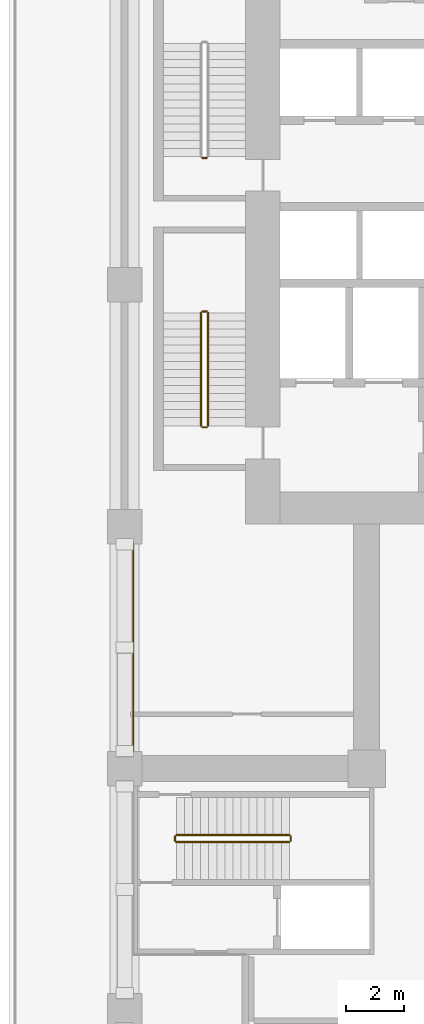
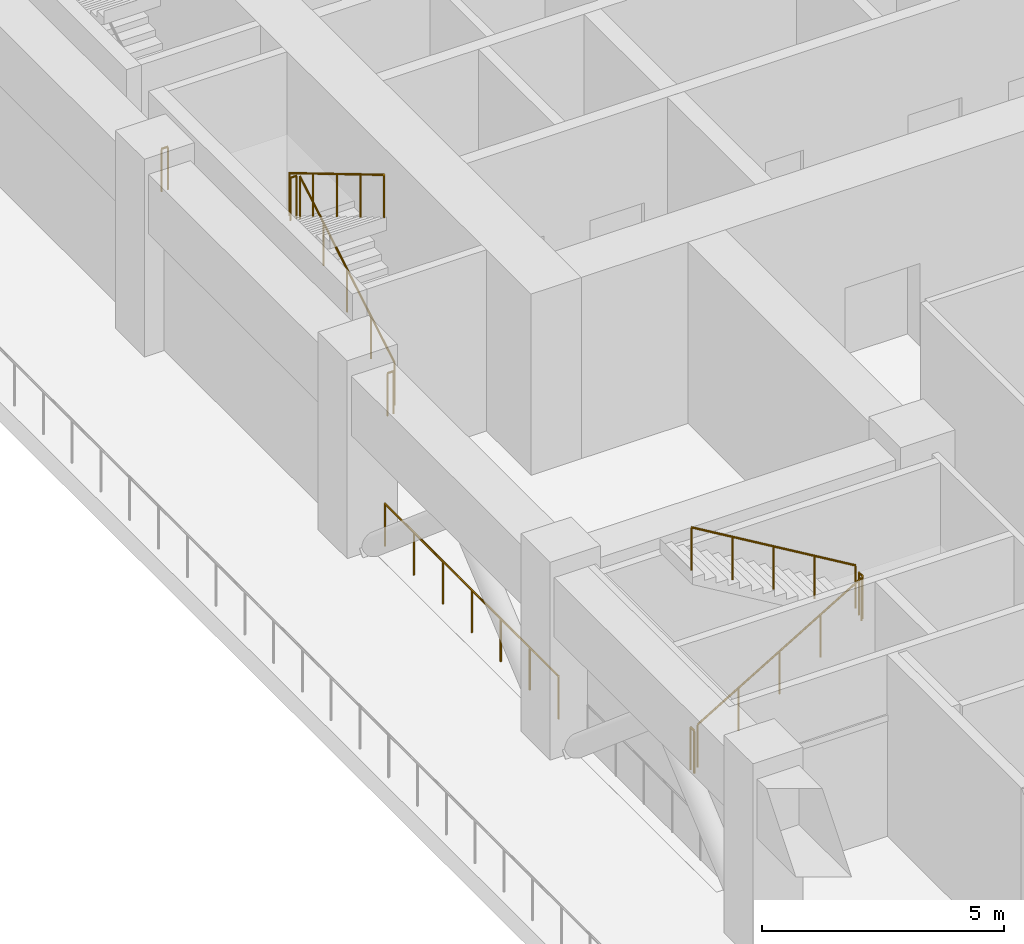
# One storey, part 14 of 19: 10 railings.
"""IFC4 building model written with IfcOpenShell, lengths in metres."""

import ifcopenshell
import ifcopenshell.guid

model = None  # the IFC model being written
_history = None  # IfcOwnerHistory: only IFC2X3 demands one
_inside = {}  # id of a spatial element -> (the spatial element, [elements in it])
_under = {}  # id of a project, library or spatial element -> (it, [spatial elements below it])
_declared = {}  # id of a project -> (the project, [libraries it declares])
_typed = {}  # id of a type object -> (the type object, [elements of that type])
_made_of = {}  # id of a material, layer set ... -> (it, [elements and type objects made of it])


def new_model(schema):
    """Start an empty IFC model of exactly this schema.

    Asked for "IFC4X3", IfcOpenShell would pick the latest addendum, in which some entities
    have other attributes; the version numbers below select the first issue.
    IFC2X3 requires an IfcOwnerHistory on every rooted entity: one is made here for all.
    """
    global model, _history
    if schema == "IFC4X3":
        model = ifcopenshell.file(schema_version=(4, 3, 0, 0))
    else:
        model = ifcopenshell.file(schema=schema)
    _inside.clear()
    _under.clear()
    _declared.clear()
    _typed.clear()
    _made_of.clear()
    _history = None
    if model.schema == "IFC2X3":
        org = make("IfcOrganization", Name="unknown")
        user = make(
            "IfcPersonAndOrganization",
            ThePerson=make("IfcPerson", FamilyName="unknown"),
            TheOrganization=org,
        )
        app = make(
            "IfcApplication",
            ApplicationDeveloper=org,
            Version="unknown",
            ApplicationFullName="unknown",
            ApplicationIdentifier="unknown",
        )
        _history = make(
            "IfcOwnerHistory",
            OwningUser=user,
            OwningApplication=app,
            ChangeAction="ADDED",
            CreationDate=0,
        )
    return model


def make(cls, **values):
    """One entity of the class cls with the attributes given. An attribute that is None is left unset."""
    return model.create_entity(
        cls, **{name: value for name, value in values.items() if value is not None}
    )


def rooted(cls, **values):
    """An entity with a GlobalId (a new one), such as an element, a storey or a relation."""
    return make(cls, GlobalId=ifcopenshell.guid.new(), OwnerHistory=_history, **values)


def si_unit(unit_type, name, prefix=None):
    """IfcSIUnit, for example si_unit("LENGTHUNIT", "METRE", prefix="MILLI")."""
    return make("IfcSIUnit", UnitType=unit_type, Prefix=prefix, Name=name)


def assignment(units):
    """IfcUnitAssignment: the units of a project."""
    return None if units is None else make("IfcUnitAssignment", Units=units)


def point(xyz):
    """IfcCartesianPoint."""
    return None if xyz is None else make("IfcCartesianPoint", Coordinates=xyz)


def direction(xyz):
    """IfcDirection."""
    return None if xyz is None else make("IfcDirection", DirectionRatios=xyz)


def frame(location, z_axis=None, x_axis=None):
    """IfcAxis2Placement3D, a coordinate frame: its origin and axes. An axis left out is left unset."""
    return make(
        "IfcAxis2Placement3D",
        Location=point(location),
        Axis=direction(z_axis),
        RefDirection=direction(x_axis),
    )


def frame_2d(location, x_axis=None):
    """IfcAxis2Placement2D, a coordinate frame in the plane: its origin and x axis."""
    return make(
        "IfcAxis2Placement2D", Location=point(location), RefDirection=direction(x_axis)
    )


def origin():
    """The frame at (0, 0, 0) with its axes left unset."""
    return frame((0.0, 0.0, 0.0))


def origin_2d():
    """The frame at (0, 0) in the plane with its x axis left unset."""
    return frame_2d((0.0, 0.0))


def place(relative_to, where):
    """IfcLocalPlacement: puts the frame where relative to a parent placement (None: the world)."""
    return make(
        "IfcLocalPlacement", PlacementRelTo=relative_to, RelativePlacement=where
    )


def context(
    kind, dimensions, precision=None, world=None, true_north=None, identifier=None
):
    """IfcGeometricRepresentationContext, for example the 3D "Model" context."""
    return make(
        "IfcGeometricRepresentationContext",
        ContextIdentifier=identifier,
        ContextType=kind,
        CoordinateSpaceDimension=dimensions,
        Precision=precision,
        WorldCoordinateSystem=world,
        TrueNorth=true_north,
    )


def subcontext(parent, identifier, kind, view, scale=None):
    """IfcGeometricRepresentationSubContext, for example "Body" below "Model"."""
    return make(
        "IfcGeometricRepresentationSubContext",
        ContextIdentifier=identifier,
        ContextType=kind,
        ParentContext=parent,
        TargetScale=scale,
        TargetView=view,
    )


def project(units=None, contexts=None):
    """IfcProject with its units and contexts."""
    return rooted(
        "IfcProject",
        Name="project",
        RepresentationContexts=contexts,
        UnitsInContext=assignment(units),
    )


def spatial(cls, under=None, at=None, **own):
    """A site, building, storey or space (cls), placed at a placement, below another one or the project."""
    s = rooted(cls, ObjectPlacement=at, **own)
    if under is not None:
        _under.setdefault(under.id(), (under, []))[1].append(s)
    return s


def profile(cls, at=None, kind="AREA", **sizes):
    """A parametric profile (cls). Its sizes go by their IFC names, for example OverallWidth=200.0."""
    return make(cls, ProfileType=kind, Position=at, **sizes)


def circle(**sizes):
    """IfcCircleProfileDef."""
    return profile("IfcCircleProfileDef", **sizes)


def extrude(swept, where, along, depth):
    """IfcExtrudedAreaSolid: the profile swept, set in the frame where, extruded along a direction by depth."""
    return make(
        "IfcExtrudedAreaSolid",
        SweptArea=swept,
        Position=where,
        ExtrudedDirection=direction(along),
        Depth=depth,
    )


def shape(context_of_items, identifier, shape_type, items):
    """IfcShapeRepresentation: the items that make up one representation, for example the "Body"."""
    return make(
        "IfcShapeRepresentation",
        ContextOfItems=context_of_items,
        RepresentationIdentifier=identifier,
        RepresentationType=shape_type,
        Items=items,
    )


def material(Name=None, Category=None):
    """IfcMaterial."""
    return make("IfcMaterial", Name=Name, Category=Category)


def made_of(thing, what):
    """Note that an element or type object is made of a material, layer set ...; save() writes the relation."""
    if what is not None:
        _made_of.setdefault(what.id(), (what, []))[1].append(thing)
    return thing


def type_object(cls, material=None, **own):
    """A type object (cls), such as IfcWallType, which elements share."""
    return made_of(rooted(cls, **own), material)


def element(
    cls,
    number,
    at=None,
    inside=None,
    cuts=None,
    type_object=None,
    material=None,
    context=None,
    identifier="Body",
    shape_type=None,
    held_by="IfcProductDefinitionShape",
    body=None,
    shapes=None,
    **own,
):
    """One element of the class cls, such as IfcWall. Its Tag is "e" and its number.

    at: its placement. inside: the storey or other place that contains it. cuts: it is an
    opening in that element (IfcRelVoidsElement). A single representation is given by context,
    identifier, shape_type and body (its items); several are given by shapes. held_by: the class
    of the entity that holds the representations. save() writes the other relations.
    """
    e = rooted(cls, Tag="e%d" % number, ObjectPlacement=at, **own)
    if body is not None:
        shapes = [shape(context, identifier, shape_type, body)]
    if shapes is not None:
        e.Representation = make(held_by, Representations=shapes)
    if inside is not None:
        _inside.setdefault(inside.id(), (inside, []))[1].append(e)
    if cuts is not None:
        rooted(
            "IfcRelVoidsElement", RelatingBuildingElement=cuts, RelatedOpeningElement=e
        )
    if type_object is not None:
        _typed.setdefault(type_object.id(), (type_object, []))[1].append(e)
    return made_of(e, material)


def aggregate(whole, parts):
    """IfcRelAggregates: a whole, such as a stair, and the parts it consists of."""
    return rooted("IfcRelAggregates", RelatingObject=whole, RelatedObjects=parts)


def save(model, path):
    """Write the relations noted so far, then the file.

    IfcRelAggregates (storeys below a building ...), IfcRelContainedInSpatialStructure (elements
    in a storey), IfcRelDefinesByType, IfcRelAssociatesMaterial and IfcRelDeclares: one each for
    every whole, place, type object, material and project.
    """
    for whole, parts in _under.values():
        aggregate(whole, parts)
    for where, things in _inside.values():
        rooted(
            "IfcRelContainedInSpatialStructure",
            RelatedElements=things,
            RelatingStructure=where,
        )
    for kind, things in _typed.values():
        rooted("IfcRelDefinesByType", RelatedObjects=things, RelatingType=kind)
    for what, things in _made_of.values():
        rooted("IfcRelAssociatesMaterial", RelatedObjects=things, RelatingMaterial=what)
    for by, libraries in _declared.values():
        rooted("IfcRelDeclares", RelatingContext=by, RelatedDefinitions=libraries)
    model.write(path)


model = new_model("IFC4")

# Units and contexts
model_context = context("Model", 3, precision=1e-05, world=origin(), true_north=direction((0.0, 1.0)))
body_context = subcontext(model_context, "Body", "Model", "MODEL_VIEW")
ifc_project = project(units=[si_unit("LENGTHUNIT", "METRE"), si_unit("AREAUNIT", "SQUARE_METRE"), si_unit("VOLUMEUNIT", "CUBIC_METRE"), si_unit("PLANEANGLEUNIT", "RADIAN"), si_unit("MASSUNIT", "GRAM", prefix="KILO")], contexts=[model_context])

# Site, building, storey
site_placement = place(None, origin())
site = spatial("IfcSite", under=ifc_project, at=site_placement, CompositionType="ELEMENT")
building_placement = place(site_placement, origin())
building = spatial("IfcBuilding", under=site, at=building_placement, Name="Kawkab Arch Medical Tower", CompositionType="ELEMENT")
storey_placement = place(building_placement, frame((0.0, 0.0, 34.199951171875)))
storey = spatial("IfcBuildingStorey", under=building, at=storey_placement, Name="L07", CompositionType="ELEMENT", Elevation=34.199951171875)

# Railings
ifc_material_1 = material(Name="Bronze anodised aluminium guard", Category="aluminium")
railing_type_1 = type_object("IfcRailingType", Name="Loggia and terrace guard 1100", PredefinedType="GUARDRAIL", material=ifc_material_1)
railing_1_placement = place(storey_placement, frame((0.300048828125, -25.800048828125, 0.0)))
element("IfcRailing", 1, at=railing_1_placement, inside=storey, type_object=railing_type_1, Name="Band guard L07.R02.3", PredefinedType="GUARDRAIL", context=body_context, shape_type="SweptSolid", body=[
    extrude(circle(Radius=0.02392578125, at=origin_2d()), frame((0.0, 0.0, 1.076171875), z_axis=(0.0, -1.0, 0.0), x_axis=(1.0, 0.0, 0.0)), (0.0, 0.0, 1.0), 7.199951171875),
    extrude(circle(Radius=0.02099609375, at=origin_2d()), origin(), (0.0, 0.0, 1.0), 1.052001953125),
    extrude(circle(Radius=0.02099609375, at=origin_2d()), frame((0.0, -1.199951171875, 0.0)), (0.0, 0.0, 1.0), 1.052001953125),
    extrude(circle(Radius=0.02099609375, at=origin_2d()), frame((0.0, -2.39990234375, 0.0)), (0.0, 0.0, 1.0), 1.052001953125),
    extrude(circle(Radius=0.02099609375, at=origin_2d()), frame((0.0, -3.60009765625, 0.0)), (0.0, 0.0, 1.0), 1.052001953125),
    extrude(circle(Radius=0.02099609375, at=origin_2d()), frame((0.0, -4.800048828125, 0.0)), (0.0, 0.0, 1.0), 1.052001953125),
    extrude(circle(Radius=0.02099609375, at=origin_2d()), frame((0.0, -6.0, 0.0)), (0.0, 0.0, 1.0), 1.052001953125),
    extrude(circle(Radius=0.02099609375, at=origin_2d()), frame((0.0, -7.199951171875, 0.0)), (0.0, 0.0, 1.0), 1.052001953125),
])
ifc_material_2 = material(Name="Stainless steel", Category="steel")
railing_type_2 = type_object("IfcRailingType", Name="Stair guard 1100", PredefinedType="GUARDRAIL", material=ifc_material_2)
railing_2_placement = place(storey_placement, frame((2.85009765625, -12.39990234375, 0.0)))
element("IfcRailing", 2, at=railing_2_placement, inside=storey, type_object=railing_type_2, Name="L07 ST1 stair guard 4", PredefinedType="GUARDRAIL", context=body_context, shape_type="SweptSolid", body=[
    extrude(circle(Radius=0.02392578125, at=origin_2d()), frame((0.0, 0.0, 1.076171875), z_axis=(-1.0, 0.0, 0.0), x_axis=(0.0, -1.0, 0.0)), (0.0, 0.0, 1.0), 0.150146484375),
    extrude(circle(Radius=0.02099609375, at=origin_2d()), origin(), (0.0, 0.0, 1.0), 1.052001953125),
    extrude(circle(Radius=0.02099609375, at=origin_2d()), frame((-0.150146484375, 0.0, 0.0)), (0.0, 0.0, 1.0), 1.052001953125),
])
railing_3_placement = place(storey_placement, frame((2.89990234375, -21.699951171875, 0.166748046875)))
element("IfcRailing", 3, at=railing_3_placement, inside=storey, type_object=railing_type_2, Name="L07 ST2 stair guard 1", PredefinedType="GUARDRAIL", context=body_context, shape_type="SweptSolid", body=[
    extrude(circle(Radius=0.02392578125, at=origin_2d()), frame((0.0, 0.0, 1.076171875), z_axis=(0.0, 0.859296244711, 0.511478214419), x_axis=(-1.0, 0.0, 0.0)), (0.0, 0.0, 1.0), 4.561767578125),
    extrude(circle(Radius=0.02099609375, at=origin_2d()), origin(), (0.0, 0.0, 1.0), 1.052001953125),
    extrude(circle(Radius=0.02099609375, at=origin_2d()), frame((0.0, 0.97998046875, 0.583251953125)), (0.0, 0.0, 1.0), 1.052001953125),
    extrude(circle(Radius=0.02099609375, at=origin_2d()), frame((0.0, 1.9599609375, 1.16650390625)), (0.0, 0.0, 1.0), 1.052001953125),
    extrude(circle(Radius=0.02099609375, at=origin_2d()), frame((0.0, 2.93994140625, 1.75)), (0.0, 0.0, 1.0), 1.052001953125),
    extrude(circle(Radius=0.02099609375, at=origin_2d()), frame((0.0, 3.919921875, 2.333251953125)), (0.0, 0.0, 1.0), 1.052001953125),
])
railing_4_placement = place(storey_placement, frame((2.85009765625, -17.72998046875, 2.5)))
element("IfcRailing", 4, at=railing_4_placement, inside=storey, type_object=railing_type_2, Name="L07 ST2 stair guard 2", PredefinedType="GUARDRAIL", context=body_context, shape_type="SweptSolid", body=[
    extrude(circle(Radius=0.02392578125, at=origin_2d()), frame((0.0, 0.0, 1.076171875), z_axis=(-1.0, 0.0, 0.0), x_axis=(0.0, -1.0, 0.0)), (0.0, 0.0, 1.0), 0.150146484375),
    extrude(circle(Radius=0.02099609375, at=origin_2d()), origin(), (0.0, 0.0, 1.0), 1.052001953125),
    extrude(circle(Radius=0.02099609375, at=origin_2d()), frame((-0.150146484375, 0.0, 0.0)), (0.0, 0.0, 1.0), 1.052001953125),
])
railing_5_placement = place(storey_placement, frame((2.64990234375, -17.780029296875, 2.666748046875)))
element("IfcRailing", 5, at=railing_5_placement, inside=storey, type_object=railing_type_2, Name="L07 ST2 stair guard 3", PredefinedType="GUARDRAIL", context=body_context, shape_type="SweptSolid", body=[
    extrude(circle(Radius=0.02392578125, at=origin_2d()), frame((0.0, 0.0, 1.076171875), z_axis=(0.0, -0.859296244711, 0.511478214419), x_axis=(1.0, 0.0, 0.0)), (0.0, 0.0, 1.0), 4.561767578125),
    extrude(circle(Radius=0.02099609375, at=origin_2d()), origin(), (0.0, 0.0, 1.0), 1.052001953125),
    extrude(circle(Radius=0.02099609375, at=origin_2d()), frame((0.0, -0.97998046875, 0.583251953125)), (0.0, 0.0, 1.0), 1.052001953125),
    extrude(circle(Radius=0.02099609375, at=origin_2d()), frame((0.0, -1.9599609375, 1.16650390625)), (0.0, 0.0, 1.0), 1.052001953125),
    extrude(circle(Radius=0.02099609375, at=origin_2d()), frame((0.0, -2.93994140625, 1.75)), (0.0, 0.0, 1.0), 1.052001953125),
    extrude(circle(Radius=0.02099609375, at=origin_2d()), frame((0.0, -3.919921875, 2.333251953125)), (0.0, 0.0, 1.0), 1.052001953125),
])
railing_6_placement = place(storey_placement, frame((2.85009765625, -21.75, 0.0)))
element("IfcRailing", 6, at=railing_6_placement, inside=storey, type_object=railing_type_2, Name="L07 ST2 stair guard 4", PredefinedType="GUARDRAIL", context=body_context, shape_type="SweptSolid", body=[
    extrude(circle(Radius=0.02392578125, at=origin_2d()), frame((0.0, 0.0, 1.076171875), z_axis=(-1.0, 0.0, 0.0), x_axis=(0.0, -1.0, 0.0)), (0.0, 0.0, 1.0), 0.150146484375),
    extrude(circle(Radius=0.02099609375, at=origin_2d()), origin(), (0.0, 0.0, 1.0), 1.052001953125),
    extrude(circle(Radius=0.02099609375, at=origin_2d()), frame((-0.150146484375, 0.0, 0.0)), (0.0, 0.0, 1.0), 1.052001953125),
])
railing_7_placement = place(storey_placement, frame((1.800048828125, -36.14990234375, 0.166748046875)))
element("IfcRailing", 7, at=railing_7_placement, inside=storey, type_object=railing_type_2, Name="L07 ST6 stair guard 1", PredefinedType="GUARDRAIL", context=body_context, shape_type="SweptSolid", body=[
    extrude(circle(Radius=0.02392578125, at=origin_2d()), frame((0.0, 0.0, 1.076171875), z_axis=(0.859296244711, 0.0, 0.511478214419), x_axis=(0.0, 1.0, 0.0)), (0.0, 0.0, 1.0), 4.561767578125),
    extrude(circle(Radius=0.02099609375, at=origin_2d()), origin(), (0.0, 0.0, 1.0), 1.052001953125),
    extrude(circle(Radius=0.02099609375, at=origin_2d()), frame((0.97998046875, 0.0, 0.583251953125)), (0.0, 0.0, 1.0), 1.052001953125),
    extrude(circle(Radius=0.02099609375, at=origin_2d()), frame((1.9599609375, 0.0, 1.16650390625)), (0.0, 0.0, 1.0), 1.052001953125),
    extrude(circle(Radius=0.02099609375, at=origin_2d()), frame((2.93994140625, 0.0, 1.75)), (0.0, 0.0, 1.0), 1.052001953125),
    extrude(circle(Radius=0.02099609375, at=origin_2d()), frame((3.919921875, 0.0, 2.333251953125)), (0.0, 0.0, 1.0), 1.052001953125),
])
railing_8_placement = place(storey_placement, frame((5.77001953125, -36.10009765625, 2.5)))
element("IfcRailing", 8, at=railing_8_placement, inside=storey, type_object=railing_type_2, Name="L07 ST6 stair guard 2", PredefinedType="GUARDRAIL", context=body_context, shape_type="SweptSolid", body=[
    extrude(circle(Radius=0.02392578125, at=origin_2d()), frame((0.0, 0.0, 1.076171875), z_axis=(0.0, 1.0, 0.0), x_axis=(-1.0, 0.0, 0.0)), (0.0, 0.0, 1.0), 0.150146484375),
    extrude(circle(Radius=0.02099609375, at=origin_2d()), origin(), (0.0, 0.0, 1.0), 1.052001953125),
    extrude(circle(Radius=0.02099609375, at=origin_2d()), frame((0.0, 0.150146484375, 0.0)), (0.0, 0.0, 1.0), 1.052001953125),
])
railing_9_placement = place(storey_placement, frame((5.719970703125, -35.89990234375, 2.666748046875)))
element("IfcRailing", 9, at=railing_9_placement, inside=storey, type_object=railing_type_2, Name="L07 ST6 stair guard 3", PredefinedType="GUARDRAIL", context=body_context, shape_type="SweptSolid", body=[
    extrude(circle(Radius=0.02392578125, at=origin_2d()), frame((0.0, 0.0, 1.076171875), z_axis=(-0.859296244711, 0.0, 0.511478214419), x_axis=(0.0, -1.0, 0.0)), (0.0, 0.0, 1.0), 4.561767578125),
    extrude(circle(Radius=0.02099609375, at=origin_2d()), origin(), (0.0, 0.0, 1.0), 1.052001953125),
    extrude(circle(Radius=0.02099609375, at=origin_2d()), frame((-0.97998046875, 0.0, 0.583251953125)), (0.0, 0.0, 1.0), 1.052001953125),
    extrude(circle(Radius=0.02099609375, at=origin_2d()), frame((-1.9599609375, 0.0, 1.16650390625)), (0.0, 0.0, 1.0), 1.052001953125),
    extrude(circle(Radius=0.02099609375, at=origin_2d()), frame((-2.93994140625, 0.0, 1.75)), (0.0, 0.0, 1.0), 1.052001953125),
    extrude(circle(Radius=0.02099609375, at=origin_2d()), frame((-3.919921875, 0.0, 2.333251953125)), (0.0, 0.0, 1.0), 1.052001953125),
])
railing_10_placement = place(storey_placement, frame((1.75, -36.10009765625, 0.0)))
element("IfcRailing", 10, at=railing_10_placement, inside=storey, type_object=railing_type_2, Name="L07 ST6 stair guard 4", PredefinedType="GUARDRAIL", context=body_context, shape_type="SweptSolid", body=[
    extrude(circle(Radius=0.02392578125, at=origin_2d()), frame((0.0, 0.0, 1.076171875), z_axis=(0.0, 1.0, 0.0), x_axis=(-1.0, 0.0, 0.0)), (0.0, 0.0, 1.0), 0.150146484375),
    extrude(circle(Radius=0.02099609375, at=origin_2d()), origin(), (0.0, 0.0, 1.0), 1.052001953125),
    extrude(circle(Radius=0.02099609375, at=origin_2d()), frame((0.0, 0.150146484375, 0.0)), (0.0, 0.0, 1.0), 1.052001953125),
])

save(model, "model.ifc")
